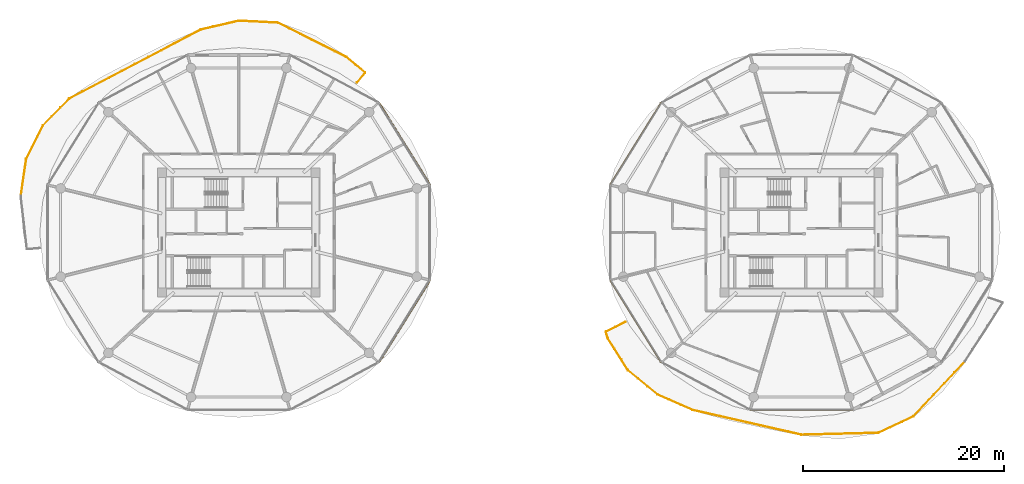
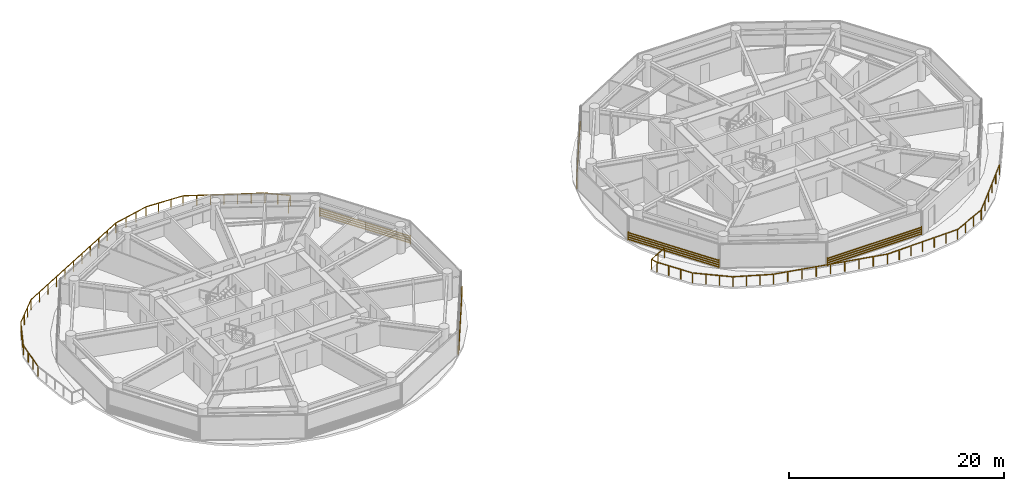
# One storey, part 24 of 26: 5 shading devices, 2 railings.
"""IFC4 building model written with IfcOpenShell, lengths in metres."""

from ifc_helpers import new_model, si_unit, direction, frame, origin, origin_2d, place, context, subcontext, project, spatial, rectangle, extrude, source, transform, mapped, material, type_object, type_shapes, element, save


model = new_model("IFC4")

# Units and contexts
model_context = context("Model", 3, precision=1e-05, world=origin(), true_north=direction((0.0, 1.0)))
body_context = subcontext(model_context, "Body", "Model", "MODEL_VIEW")
ifc_project = project(units=[si_unit("LENGTHUNIT", "METRE"), si_unit("AREAUNIT", "SQUARE_METRE"), si_unit("VOLUMEUNIT", "CUBIC_METRE"), si_unit("PLANEANGLEUNIT", "RADIAN"), si_unit("MASSUNIT", "GRAM", prefix="KILO")], contexts=[model_context])

# Site, building, storey
site_placement = place(None, origin())
site = spatial("IfcSite", under=ifc_project, at=site_placement, CompositionType="ELEMENT")
building_placement = place(site_placement, origin())
building = spatial("IfcBuilding", under=site, at=building_placement, Name="Norrkilde Senior Care Towers", CompositionType="ELEMENT")
storey_placement = place(building_placement, frame((0.0, 0.0, 24.64990234375)))
storey = spatial("IfcBuildingStorey", under=building, at=storey_placement, Name="L06", CompositionType="ELEMENT", Elevation=24.64990234375)

# Railings
ifc_material_1 = material(Name="Anodised Aluminium", Category="aluminium")
railing_type = type_object("IfcRailingType", Name="Balcony Swirl Ribbon Guardrail 1150", PredefinedType="GUARDRAIL", material=ifc_material_1)
railing_1_placement = place(storey_placement, frame((44.26611328125, -12.831298828125, 0.0)))
element("IfcRailing", 1, at=railing_1_placement, inside=storey, type_object=railing_type, Name="L06 Perimeter Safety Guard 01", PredefinedType="GUARDRAIL", context=body_context, shape_type="SweptSolid", body=[
    extrude(rectangle(XDim=0.048095703125, YDim=0.048095703125, at=origin_2d()), frame((0.0, 0.0, 1.1259765625), z_axis=(-0.683212161978, -0.730219926957, 0.0), x_axis=(0.730219926957, -0.683212161978, 0.0)), (0.0, 0.0, 1.0), 7.43798828125),
    extrude(rectangle(XDim=0.048095703125, YDim=0.048095703125, at=origin_2d()), frame((-5.146484375, -5.478515625, 1.1259765625), z_axis=(-0.904307058969, -0.426882587018, 0.0), x_axis=(0.426882587018, -0.904307058969, 0.0)), (0.0, 0.0, 1.0), 3.77294921875),
    extrude(rectangle(XDim=0.048095703125, YDim=0.048095703125, at=origin_2d()), frame((-8.63623046875, -7.107666015625, 1.1259765625), z_axis=(-0.999684693746, -0.025110019721, 0.0), x_axis=(0.025110019721, -0.999684693746, 0.0)), (0.0, 0.0, 1.0), 7.579833984375),
    extrude(rectangle(XDim=0.048095703125, YDim=0.048095703125, at=origin_2d()), frame((-16.29443359375, -7.2900390625, 1.1259765625), z_axis=(-0.975055001718, 0.221963383522, 0.0), x_axis=(-0.221963383522, -0.975055001718, 0.0)), (0.0, 0.0, 1.0), 11.047119140625),
    extrude(rectangle(XDim=0.048095703125, YDim=0.048095703125, at=origin_2d()), frame((-27.143310546875, -4.8125, 1.1259765625), z_axis=(-0.915221356555, 0.402951446833, 0.0), x_axis=(-0.402951446833, -0.915221356555, 0.0)), (0.0, 0.0, 1.0), 3.723876953125),
    extrude(rectangle(XDim=0.048095703125, YDim=0.048095703125, at=origin_2d()), frame((-30.620361328125, -3.26953125, 1.1259765625), z_axis=(-0.772733010131, 0.634731199055, 0.0), x_axis=(-0.634731199055, -0.772733010131, 0.0)), (0.0, 0.0, 1.0), 3.716552734375),
    extrude(rectangle(XDim=0.048095703125, YDim=0.048095703125, at=origin_2d()), frame((-33.545654296875, -0.849853515625, 1.1259765625), z_axis=(-0.533024666452, 0.846099701544, 0.0), x_axis=(-0.846099701544, -0.533024666452, 0.0)), (0.0, 0.0, 1.0), 3.685546875),
    extrude(rectangle(XDim=0.048095703125, YDim=0.048095703125, at=origin_2d()), frame((-35.543701171875, 2.342041015625, 1.1259765625), z_axis=(-0.287808203453, 0.957688069272, 0.0), x_axis=(-0.957688069272, -0.287808203453, 0.0)), (0.0, 0.0, 1.0), 0.599365234375),
    extrude(rectangle(XDim=0.048095703125, YDim=0.048095703125, at=origin_2d()), frame((-35.69140625, 2.9736328125, 1.1259765625), z_axis=(0.893422475071, 0.449217409545, 0.0), x_axis=(-0.449217409545, 0.893422475071, 0.0)), (0.0, 0.0, 1.0), 2.15087890625),
    extrude(rectangle(XDim=0.0419921875, YDim=0.0419921875, at=origin_2d()), origin(), (0.0, 0.0, 1.0), 1.099853515625),
    extrude(rectangle(XDim=0.0419921875, YDim=0.0419921875, at=origin_2d()), frame((-1.02197265625, -1.09228515625, 0.0)), (0.0, 0.0, 1.0), 1.099853515625),
    extrude(rectangle(XDim=0.0419921875, YDim=0.0419921875, at=origin_2d()), frame((-2.0439453125, -2.1845703125, 0.0)), (0.0, 0.0, 1.0), 1.099853515625),
    extrude(rectangle(XDim=0.0419921875, YDim=0.0419921875, at=origin_2d()), frame((-3.065673828125, -3.276611328125, 0.0)), (0.0, 0.0, 1.0), 1.099853515625),
    extrude(rectangle(XDim=0.0419921875, YDim=0.0419921875, at=origin_2d()), frame((-4.087646484375, -4.368896484375, 0.0)), (0.0, 0.0, 1.0), 1.099853515625),
    extrude(rectangle(XDim=0.0419921875, YDim=0.0419921875, at=origin_2d()), frame((-5.109619140625, -5.461181640625, 0.0)), (0.0, 0.0, 1.0), 1.099853515625),
    extrude(rectangle(XDim=0.0419921875, YDim=0.0419921875, at=origin_2d()), frame((-6.271484375, -6.009765625, 0.0)), (0.0, 0.0, 1.0), 1.099853515625),
    extrude(rectangle(XDim=0.0419921875, YDim=0.0419921875, at=origin_2d()), frame((-7.43359375, -6.55810546875, 0.0)), (0.0, 0.0, 1.0), 1.099853515625),
    extrude(rectangle(XDim=0.0419921875, YDim=0.0419921875, at=origin_2d()), frame((-8.595458984375, -7.106689453125, 0.0)), (0.0, 0.0, 1.0), 1.099853515625),
    extrude(rectangle(XDim=0.0419921875, YDim=0.0419921875, at=origin_2d()), frame((-9.8720703125, -7.138671875, 0.0)), (0.0, 0.0, 1.0), 1.099853515625),
    extrude(rectangle(XDim=0.0419921875, YDim=0.0419921875, at=origin_2d()), frame((-11.1484375, -7.1708984375, 0.0)), (0.0, 0.0, 1.0), 1.099853515625),
    extrude(rectangle(XDim=0.0419921875, YDim=0.0419921875, at=origin_2d()), frame((-12.425048828125, -7.202880859375, 0.0)), (0.0, 0.0, 1.0), 1.099853515625),
    extrude(rectangle(XDim=0.0419921875, YDim=0.0419921875, at=origin_2d()), frame((-13.70166015625, -7.23486328125, 0.0)), (0.0, 0.0, 1.0), 1.099853515625),
    extrude(rectangle(XDim=0.0419921875, YDim=0.0419921875, at=origin_2d()), frame((-14.97802734375, -7.26708984375, 0.0)), (0.0, 0.0, 1.0), 1.099853515625),
    extrude(rectangle(XDim=0.0419921875, YDim=0.0419921875, at=origin_2d()), frame((-16.254638671875, -7.299072265625, 0.0)), (0.0, 0.0, 1.0), 1.099853515625),
    extrude(rectangle(XDim=0.0419921875, YDim=0.0419921875, at=origin_2d()), frame((-17.611083984375, -6.990234375, 0.0)), (0.0, 0.0, 1.0), 1.099853515625),
    extrude(rectangle(XDim=0.0419921875, YDim=0.0419921875, at=origin_2d()), frame((-18.967529296875, -6.681640625, 0.0)), (0.0, 0.0, 1.0), 1.099853515625),
    extrude(rectangle(XDim=0.0419921875, YDim=0.0419921875, at=origin_2d()), frame((-20.323974609375, -6.372802734375, 0.0)), (0.0, 0.0, 1.0), 1.099853515625),
    extrude(rectangle(XDim=0.0419921875, YDim=0.0419921875, at=origin_2d()), frame((-21.68017578125, -6.06396484375, 0.0)), (0.0, 0.0, 1.0), 1.099853515625),
    extrude(rectangle(XDim=0.0419921875, YDim=0.0419921875, at=origin_2d()), frame((-23.03662109375, -5.755126953125, 0.0)), (0.0, 0.0, 1.0), 1.099853515625),
    extrude(rectangle(XDim=0.0419921875, YDim=0.0419921875, at=origin_2d()), frame((-24.39306640625, -5.4462890625, 0.0)), (0.0, 0.0, 1.0), 1.099853515625),
    extrude(rectangle(XDim=0.0419921875, YDim=0.0419921875, at=origin_2d()), frame((-25.74951171875, -5.1376953125, 0.0)), (0.0, 0.0, 1.0), 1.099853515625),
    extrude(rectangle(XDim=0.0419921875, YDim=0.0419921875, at=origin_2d()), frame((-27.10595703125, -4.828857421875, 0.0)), (0.0, 0.0, 1.0), 1.099853515625),
    extrude(rectangle(XDim=0.0419921875, YDim=0.0419921875, at=origin_2d()), frame((-28.266845703125, -4.317626953125, 0.0)), (0.0, 0.0, 1.0), 1.099853515625),
    extrude(rectangle(XDim=0.0419921875, YDim=0.0419921875, at=origin_2d()), frame((-29.427978515625, -3.806640625, 0.0)), (0.0, 0.0, 1.0), 1.099853515625),
    extrude(rectangle(XDim=0.0419921875, YDim=0.0419921875, at=origin_2d()), frame((-30.5888671875, -3.29541015625, 0.0)), (0.0, 0.0, 1.0), 1.099853515625),
    extrude(rectangle(XDim=0.0419921875, YDim=0.0419921875, at=origin_2d()), frame((-31.567138671875, -2.49169921875, 0.0)), (0.0, 0.0, 1.0), 1.099853515625),
    extrude(rectangle(XDim=0.0419921875, YDim=0.0419921875, at=origin_2d()), frame((-32.545654296875, -1.688232421875, 0.0)), (0.0, 0.0, 1.0), 1.099853515625),
    extrude(rectangle(XDim=0.0419921875, YDim=0.0419921875, at=origin_2d()), frame((-33.52392578125, -0.884521484375, 0.0)), (0.0, 0.0, 1.0), 1.099853515625),
    extrude(rectangle(XDim=0.0419921875, YDim=0.0419921875, at=origin_2d()), frame((-34.193359375, 0.177978515625, 0.0)), (0.0, 0.0, 1.0), 1.099853515625),
    extrude(rectangle(XDim=0.0419921875, YDim=0.0419921875, at=origin_2d()), frame((-34.862548828125, 1.240478515625, 0.0)), (0.0, 0.0, 1.0), 1.099853515625),
    extrude(rectangle(XDim=0.0419921875, YDim=0.0419921875, at=origin_2d()), frame((-35.531982421875, 2.302978515625, 0.0)), (0.0, 0.0, 1.0), 1.099853515625),
    extrude(rectangle(XDim=0.0419921875, YDim=0.0419921875, at=origin_2d()), frame((-35.72802734375, 2.955322265625, 0.0)), (0.0, 0.0, 1.0), 1.099853515625),
    extrude(rectangle(XDim=0.0419921875, YDim=0.0419921875, at=origin_2d()), frame((-34.7490234375, 3.44775390625, 0.0)), (0.0, 0.0, 1.0), 1.099853515625),
    extrude(rectangle(XDim=0.0419921875, YDim=0.0419921875, at=origin_2d()), frame((-33.769775390625, 3.93994140625, 0.0)), (0.0, 0.0, 1.0), 1.099853515625),
])
railing_2_placement = place(storey_placement, frame((-49.690673828125, 3.623779296875, 0.0)))
element("IfcRailing", 2, at=railing_2_placement, inside=storey, type_object=railing_type, Name="L06 Perimeter Safety Guard 03", PredefinedType="GUARDRAIL", context=body_context, shape_type="SweptSolid", body=[
    extrude(rectangle(XDim=0.048095703125, YDim=0.048095703125, at=origin_2d()), frame((0.0, 0.0, 1.1259765625), z_axis=(0.14407214474, 0.989567186759, 0.0), x_axis=(-0.989567186759, 0.14407214474, 0.0)), (0.0, 0.0, 1.0), 3.671875),
    extrude(rectangle(XDim=0.048095703125, YDim=0.048095703125, at=origin_2d()), frame((0.55322265625, 3.710693359375, 1.1259765625), z_axis=(0.445699455912, 0.895182660132, 0.0), x_axis=(-0.895182660132, 0.445699455912, 0.0)), (0.0, 0.0, 1.0), 3.66064453125),
    extrude(rectangle(XDim=0.048095703125, YDim=0.048095703125, at=origin_2d()), frame((2.2314453125, 7.05322265625, 1.1259765625), z_axis=(0.700554028412, 0.713599364683, 0.0), x_axis=(-0.713599364683, 0.700554028412, 0.0)), (0.0, 0.0, 1.0), 3.679931640625),
    extrude(rectangle(XDim=0.048095703125, YDim=0.048095703125, at=origin_2d()), frame((4.874267578125, 9.7275390625, 1.1259765625), z_axis=(0.885629663246, 0.464392182944, 0.0), x_axis=(-0.464392182944, 0.885629663246, 0.0)), (0.0, 0.0, 1.0), 14.6953125),
    extrude(rectangle(XDim=0.048095703125, YDim=0.048095703125, at=origin_2d()), frame((17.96484375, 16.580078125, 1.1259765625), z_axis=(0.974035184502, 0.226396685824, 0.0), x_axis=(-0.226396685824, 0.974035184502, 0.0)), (0.0, 0.0, 1.0), 3.791748046875),
    extrude(rectangle(XDim=0.048095703125, YDim=0.048095703125, at=origin_2d()), frame((21.73876953125, 17.44580078125, 1.1259765625), z_axis=(0.998788587533, -0.049207290256, 0.0), x_axis=(0.049207290256, 0.998788587533, 0.0)), (0.0, 0.0, 1.0), 3.802978515625),
    extrude(rectangle(XDim=0.048095703125, YDim=0.048095703125, at=origin_2d()), frame((25.61474609375, 17.23828125, 1.1259765625), z_axis=(0.894177397636, -0.447712833809, 0.0), x_axis=(0.447712833809, 0.894177397636, 0.0)), (0.0, 0.0, 1.0), 7.5458984375),
    extrude(rectangle(XDim=0.048095703125, YDim=0.048095703125, at=origin_2d()), frame((32.43017578125, 13.8154296875, 1.1259765625), z_axis=(0.768715242436, -0.639591178837, 0.0), x_axis=(0.639591178837, 0.768715242436, 0.0)), (0.0, 0.0, 1.0), 2.347900390625),
    extrude(rectangle(XDim=0.048095703125, YDim=0.048095703125, at=origin_2d()), frame((34.240966796875, 12.255615234375, 1.1259765625), z_axis=(-0.623141018231, -0.7821095009, 0.0), x_axis=(0.7821095009, -0.623141018231, 0.0)), (0.0, 0.0, 1.0), 1.224609375),
    extrude(rectangle(XDim=0.0419921875, YDim=0.0419921875, at=origin_2d()), origin(), (0.0, 0.0, 1.0), 1.099853515625),
    extrude(rectangle(XDim=0.0419921875, YDim=0.0419921875, at=origin_2d()), frame((0.17822265625, 1.224609375, 0.0)), (0.0, 0.0, 1.0), 1.099853515625),
    extrude(rectangle(XDim=0.0419921875, YDim=0.0419921875, at=origin_2d()), frame((0.356689453125, 2.449462890625, 0.0)), (0.0, 0.0, 1.0), 1.099853515625),
    extrude(rectangle(XDim=0.0419921875, YDim=0.0419921875, at=origin_2d()), frame((0.534912109375, 3.674072265625, 0.0)), (0.0, 0.0, 1.0), 1.099853515625),
    extrude(rectangle(XDim=0.0419921875, YDim=0.0419921875, at=origin_2d()), frame((1.0908203125, 4.790771484375, 0.0)), (0.0, 0.0, 1.0), 1.099853515625),
    extrude(rectangle(XDim=0.0419921875, YDim=0.0419921875, at=origin_2d()), frame((1.64697265625, 5.907470703125, 0.0)), (0.0, 0.0, 1.0), 1.099853515625),
    extrude(rectangle(XDim=0.0419921875, YDim=0.0419921875, at=origin_2d()), frame((2.202880859375, 7.024169921875, 0.0)), (0.0, 0.0, 1.0), 1.099853515625),
    extrude(rectangle(XDim=0.0419921875, YDim=0.0419921875, at=origin_2d()), frame((3.081298828125, 7.9189453125, 0.0)), (0.0, 0.0, 1.0), 1.099853515625),
    extrude(rectangle(XDim=0.0419921875, YDim=0.0419921875, at=origin_2d()), frame((3.959716796875, 8.813720703125, 0.0)), (0.0, 0.0, 1.0), 1.099853515625),
    extrude(rectangle(XDim=0.0419921875, YDim=0.0419921875, at=origin_2d()), frame((4.838134765625, 9.70849609375, 0.0)), (0.0, 0.0, 1.0), 1.099853515625),
    extrude(rectangle(XDim=0.0419921875, YDim=0.0419921875, at=origin_2d()), frame((6.146728515625, 10.394775390625, 0.0)), (0.0, 0.0, 1.0), 1.099853515625),
    extrude(rectangle(XDim=0.0419921875, YDim=0.0419921875, at=origin_2d()), frame((7.45556640625, 11.0810546875, 0.0)), (0.0, 0.0, 1.0), 1.099853515625),
    extrude(rectangle(XDim=0.0419921875, YDim=0.0419921875, at=origin_2d()), frame((8.76416015625, 11.76708984375, 0.0)), (0.0, 0.0, 1.0), 1.099853515625),
    extrude(rectangle(XDim=0.0419921875, YDim=0.0419921875, at=origin_2d()), frame((10.072998046875, 12.453369140625, 0.0)), (0.0, 0.0, 1.0), 1.099853515625),
    extrude(rectangle(XDim=0.0419921875, YDim=0.0419921875, at=origin_2d()), frame((11.381591796875, 13.1396484375, 0.0)), (0.0, 0.0, 1.0), 1.099853515625),
    extrude(rectangle(XDim=0.0419921875, YDim=0.0419921875, at=origin_2d()), frame((12.690185546875, 13.825927734375, 0.0)), (0.0, 0.0, 1.0), 1.099853515625),
    extrude(rectangle(XDim=0.0419921875, YDim=0.0419921875, at=origin_2d()), frame((13.9990234375, 14.51220703125, 0.0)), (0.0, 0.0, 1.0), 1.099853515625),
    extrude(rectangle(XDim=0.0419921875, YDim=0.0419921875, at=origin_2d()), frame((15.3076171875, 15.1982421875, 0.0)), (0.0, 0.0, 1.0), 1.099853515625),
    extrude(rectangle(XDim=0.0419921875, YDim=0.0419921875, at=origin_2d()), frame((16.616455078125, 15.884521484375, 0.0)), (0.0, 0.0, 1.0), 1.099853515625),
    extrude(rectangle(XDim=0.0419921875, YDim=0.0419921875, at=origin_2d()), frame((17.925048828125, 16.57080078125, 0.0)), (0.0, 0.0, 1.0), 1.099853515625),
    extrude(rectangle(XDim=0.0419921875, YDim=0.0419921875, at=origin_2d()), frame((19.1826171875, 16.863037109375, 0.0)), (0.0, 0.0, 1.0), 1.099853515625),
    extrude(rectangle(XDim=0.0419921875, YDim=0.0419921875, at=origin_2d()), frame((20.4404296875, 17.155517578125, 0.0)), (0.0, 0.0, 1.0), 1.099853515625),
    extrude(rectangle(XDim=0.0419921875, YDim=0.0419921875, at=origin_2d()), frame((21.697998046875, 17.44775390625, 0.0)), (0.0, 0.0, 1.0), 1.099853515625),
    extrude(rectangle(XDim=0.0419921875, YDim=0.0419921875, at=origin_2d()), frame((22.991455078125, 17.384033203125, 0.0)), (0.0, 0.0, 1.0), 1.099853515625),
    extrude(rectangle(XDim=0.0419921875, YDim=0.0419921875, at=origin_2d()), frame((24.28466796875, 17.3203125, 0.0)), (0.0, 0.0, 1.0), 1.099853515625),
    extrude(rectangle(XDim=0.0419921875, YDim=0.0419921875, at=origin_2d()), frame((25.578125, 17.256591796875, 0.0)), (0.0, 0.0, 1.0), 1.099853515625),
    extrude(rectangle(XDim=0.0419921875, YDim=0.0419921875, at=origin_2d()), frame((26.71484375, 16.6875, 0.0)), (0.0, 0.0, 1.0), 1.099853515625),
    extrude(rectangle(XDim=0.0419921875, YDim=0.0419921875, at=origin_2d()), frame((27.8515625, 16.1181640625, 0.0)), (0.0, 0.0, 1.0), 1.099853515625),
    extrude(rectangle(XDim=0.0419921875, YDim=0.0419921875, at=origin_2d()), frame((28.98828125, 15.549072265625, 0.0)), (0.0, 0.0, 1.0), 1.099853515625),
    extrude(rectangle(XDim=0.0419921875, YDim=0.0419921875, at=origin_2d()), frame((30.125244140625, 14.97998046875, 0.0)), (0.0, 0.0, 1.0), 1.099853515625),
    extrude(rectangle(XDim=0.0419921875, YDim=0.0419921875, at=origin_2d()), frame((31.261962890625, 14.41064453125, 0.0)), (0.0, 0.0, 1.0), 1.099853515625),
    extrude(rectangle(XDim=0.0419921875, YDim=0.0419921875, at=origin_2d()), frame((32.398681640625, 13.841552734375, 0.0)), (0.0, 0.0, 1.0), 1.099853515625),
    extrude(rectangle(XDim=0.0419921875, YDim=0.0419921875, at=origin_2d()), frame((33.33251953125, 13.064453125, 0.0)), (0.0, 0.0, 1.0), 1.099853515625),
    extrude(rectangle(XDim=0.0419921875, YDim=0.0419921875, at=origin_2d()), frame((34.266357421875, 12.28759765625, 0.0)), (0.0, 0.0, 1.0), 1.099853515625),
    extrude(rectangle(XDim=0.0419921875, YDim=0.0419921875, at=origin_2d()), frame((33.477783203125, 11.2978515625, 0.0)), (0.0, 0.0, 1.0), 1.099853515625),
])

# Shading devices
ifc_material_2 = material(Name="Architectural Terracotta", Category="masonry")
shading_device_type = type_object("IfcShadingDeviceType", Name="Horizontal Terracotta Baguette Rack", PredefinedType="USERDEFINED", material=ifc_material_2)
shared_shape_1 = source(origin(), body_context, "Body", "SweptSolid", [
    extrude(rectangle(XDim=0.070068359375, YDim=0.110107421875, at=origin_2d()), frame((0.0, 0.090087890625, 0.125), z_axis=(1.0, 0.0, 0.0), x_axis=(0.0, 1.0, 0.0)), (0.0, 0.0, 1.0), 9.64892578125),
    extrude(rectangle(XDim=0.070068359375, YDim=0.110107421875, at=origin_2d()), frame((0.0, 0.090087890625, 0.375), z_axis=(1.0, 0.0, 0.0), x_axis=(0.0, 1.0, 0.0)), (0.0, 0.0, 1.0), 9.64892578125),
    extrude(rectangle(XDim=0.070068359375, YDim=0.110107421875, at=origin_2d()), frame((0.0, 0.090087890625, 0.625), z_axis=(1.0, 0.0, 0.0), x_axis=(0.0, 1.0, 0.0)), (0.0, 0.0, 1.0), 9.64892578125),
    extrude(rectangle(XDim=0.070068359375, YDim=0.110107421875, at=origin_2d()), frame((0.0, 0.090087890625, 0.875), z_axis=(1.0, 0.0, 0.0), x_axis=(0.0, 1.0, 0.0)), (0.0, 0.0, 1.0), 9.64892578125),
    extrude(rectangle(XDim=0.050048828125, YDim=0.1552734375, at=origin_2d()), frame((0.02490234375, 0.047607421875, 0.0)), (0.0, 0.0, 1.0), 1.0),
    extrude(rectangle(XDim=0.050048828125, YDim=0.1552734375, at=origin_2d()), frame((9.6240234375, 0.047607421875, 0.0)), (0.0, 0.0, 1.0), 1.0),
])
for number, where, z_axis, x_axis, name in (
    (3, (-14.084228515625, 12.926025390625, 0.080078125), (0.0, 0.0, 1.0), (0.527908506655, -0.849299124538, 0.0), "L06 Drum W Terracotta Baguette Screen 00"),
    (4, (-8.990478515625, -4.731201171875, 0.080078125), (0.0, 0.0, 1.0), (-0.527908506655, -0.849299124538, 0.0), "L06 Drum W Terracotta Baguette Screen 10"),
    (5, (8.990478515625, 4.731201171875, 0.080078125), (0.0, 0.0, 1.0), (0.527908506655, 0.849299124538, 0.0), "L06 Drum E Terracotta Baguette Screen 04"),
    (6, (14.084228515625, -12.926025390625, 0.080078125), (0.0, 0.0, 1.0), (-0.527908506655, 0.849299124538, 0.0), "L06 Drum E Terracotta Baguette Screen 06"),
):
    element("IfcShadingDevice", number, at=place(storey_placement, frame(where, z_axis=z_axis, x_axis=x_axis)), inside=storey, type_object=shading_device_type, Name=name, ObjectType="BAGUETTE", PredefinedType="USERDEFINED", context=body_context, shape_type="MappedRepresentation", body=[
        mapped(shared_shape_1, transform((0.0, 0.0, 0.0), x_axis=(1.0, 0.0, 0.0), y_axis=(0.0, 1.0, 0.0), z_axis=(0.0, 0.0, 1.0), scale=1.0)),
    ])
shared_shape_2 = source(origin(), body_context, "Body", "SweptSolid", [
    extrude(rectangle(XDim=0.070068359375, YDim=0.110107421875, at=origin_2d()), frame((0.0, 0.090087890625, 0.125), z_axis=(1.0, 0.0, 0.0), x_axis=(0.0, 1.0, 0.0)), (0.0, 0.0, 1.0), 10.18701171875),
    extrude(rectangle(XDim=0.070068359375, YDim=0.110107421875, at=origin_2d()), frame((0.0, 0.090087890625, 0.375), z_axis=(1.0, 0.0, 0.0), x_axis=(0.0, 1.0, 0.0)), (0.0, 0.0, 1.0), 10.18701171875),
    extrude(rectangle(XDim=0.070068359375, YDim=0.110107421875, at=origin_2d()), frame((0.0, 0.090087890625, 0.625), z_axis=(1.0, 0.0, 0.0), x_axis=(0.0, 1.0, 0.0)), (0.0, 0.0, 1.0), 10.18701171875),
    extrude(rectangle(XDim=0.070068359375, YDim=0.110107421875, at=origin_2d()), frame((0.0, 0.090087890625, 0.875), z_axis=(1.0, 0.0, 0.0), x_axis=(0.0, 1.0, 0.0)), (0.0, 0.0, 1.0), 10.18701171875),
    extrude(rectangle(XDim=0.050048828125, YDim=0.1552734375, at=origin_2d()), frame((0.02490234375, 0.047607421875, 0.0)), (0.0, 0.0, 1.0), 1.0),
    extrude(rectangle(XDim=0.050048828125, YDim=0.1552734375, at=origin_2d()), frame((10.162109375, 0.047607421875, 0.0)), (0.0, 0.0, 1.0), 1.0),
])
type_shapes(shading_device_type, [shared_shape_1, shared_shape_2])
shading_device_placement = place(storey_placement, frame((33.093505859375, -17.6572265625, 0.080078125), z_axis=(0.0, 0.0, 1.0), x_axis=(-1.0, 0.0, 0.0)))
element("IfcShadingDevice", 7, at=shading_device_placement, inside=storey, type_object=shading_device_type, Name="L06 Drum E Terracotta Baguette Screen 08", ObjectType="BAGUETTE", PredefinedType="USERDEFINED", context=body_context, shape_type="MappedRepresentation", body=[
    mapped(shared_shape_2, transform((0.0, 0.0, 0.0), x_axis=(1.0, 0.0, 0.0), y_axis=(0.0, 1.0, 0.0), z_axis=(0.0, 0.0, 1.0), scale=1.0)),
])

save(model, "model.ifc")
